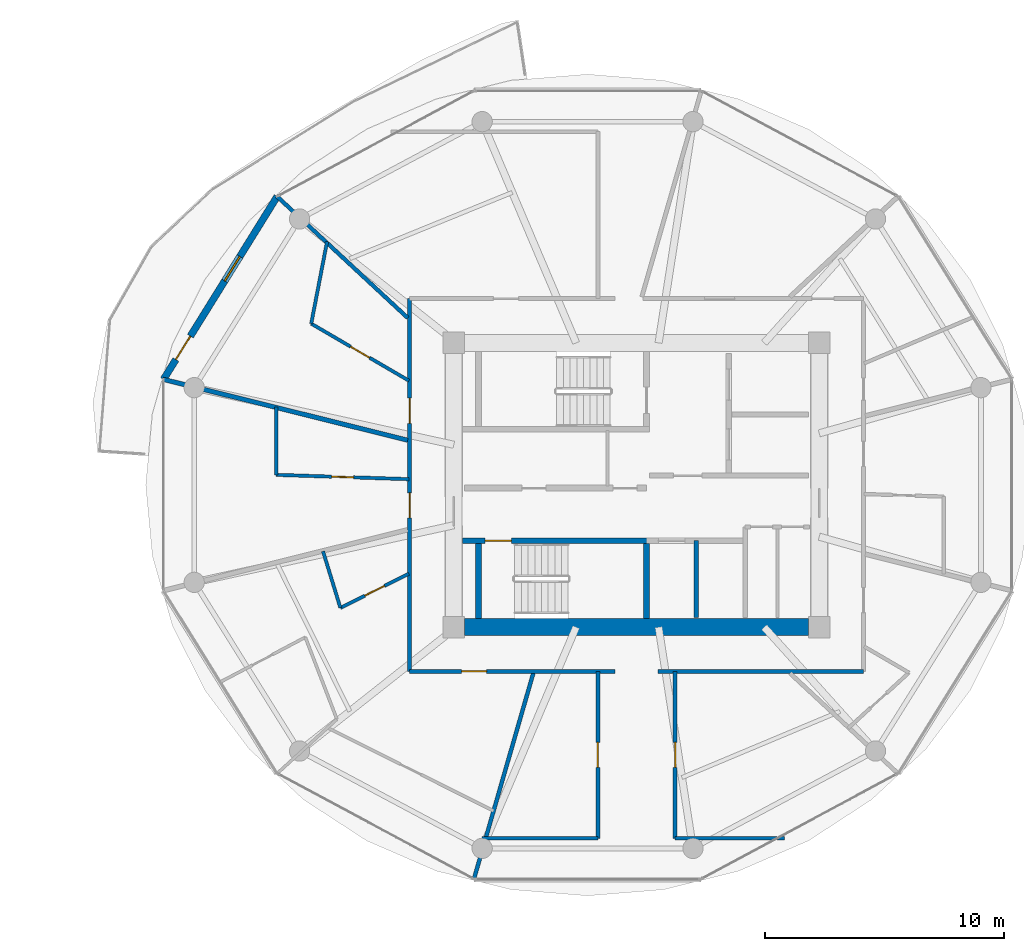
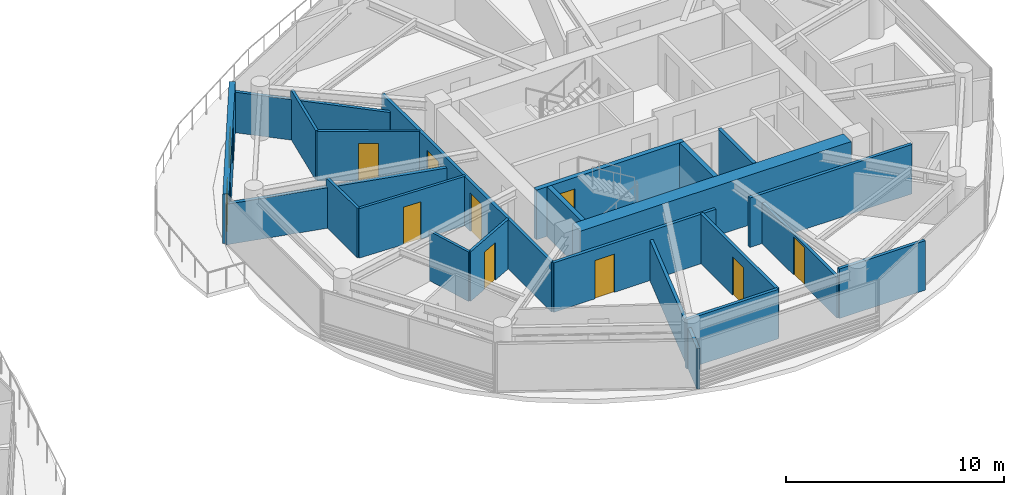
# One storey, part 16 of 22: 22 walls, 10 doors, 1 window, 11 openings.
"""IFC4 building model written with IfcOpenShell, lengths in metres."""

from ifc_helpers import new_model, si_unit, direction, frame, frame_2d, origin, place, context, subcontext, project, spatial, rectangle, extrude, source, transform, mapped, material, layer, layer_set, type_object, type_shapes, element, fill, save


model = new_model("IFC4")

# Units and contexts
model_context = context("Model", 3, precision=1e-05, world=origin(), true_north=direction((0.0, 1.0)))
body_context = subcontext(model_context, "Body", "Model", "MODEL_VIEW")
ifc_project = project(units=[si_unit("LENGTHUNIT", "METRE"), si_unit("AREAUNIT", "SQUARE_METRE"), si_unit("VOLUMEUNIT", "CUBIC_METRE"), si_unit("PLANEANGLEUNIT", "RADIAN"), si_unit("MASSUNIT", "GRAM", prefix="KILO")], contexts=[model_context])

# Site, building, storey
site_placement = place(None, origin())
site = spatial("IfcSite", under=ifc_project, at=site_placement, CompositionType="ELEMENT")
building_placement = place(site_placement, origin())
building = spatial("IfcBuilding", under=site, at=building_placement, Name="Norrkilde Senior Care Towers", CompositionType="ELEMENT")
storey_placement = place(building_placement, frame((0.0, 0.0, 123.699951171875)))
storey = spatial("IfcBuildingStorey", under=building, at=storey_placement, Name="L38", CompositionType="ELEMENT", Elevation=123.699951171875)

# Wall
ifc_material_1 = material(Name="Concrete C60/75", Category="concrete")
ifc_layer_1 = layer(ifc_material_1, 0.719970703125)
ifc_layer_set_1 = layer_set([ifc_layer_1], Name="Concrete C60/75")
wall_type_1 = type_object("IfcWallType", Name="Core Shear Wall Z2 720", PredefinedType="SHEAR", material=ifc_layer_set_1)
shared_shape_1 = source(origin(), body_context, "Body", "SweptSolid", [
    extrude(rectangle(XDim=14.39990234375, YDim=0.719970703125, at=frame_2d((7.199951171875, 0.0))), origin(), (0.0, 0.0, 1.0), 2.7900390625),
])
type_shapes(wall_type_1, [shared_shape_1])
wall_1_placement = place(storey_placement, frame((35.199951171875, -5.949951171875, 0.0), z_axis=(0.0, 0.0, 1.0), x_axis=(-1.0, 0.0, 0.0)))
element("IfcWall", 1, at=wall_1_placement, inside=storey, type_object=wall_type_1, Name="L38 Core E South Shear Wall", PredefinedType="SHEAR", context=body_context, shape_type="MappedRepresentation", body=[
    mapped(shared_shape_1, transform((0.0, 0.0, 0.0), x_axis=(1.0, 0.0, 0.0), y_axis=(0.0, 1.0, 0.0), z_axis=(0.0, 0.0, 1.0), scale=1.0)),
])

# Wall, openings, door, window
ifc_material_2 = material(Name="Precast concrete C45/55", Category="concrete")
ifc_layer_2 = layer(ifc_material_2, 0.2900390625)
ifc_layer_set_2 = layer_set([ifc_layer_2], Name="Precast concrete C45/55")
wall_type_2 = type_object("IfcWallType", Name="Winter Garden Facade Wall 290", PredefinedType="SOLIDWALL", material=ifc_layer_set_2)
shared_shape_2 = source(origin(), body_context, "Body", "SweptSolid", [
    extrude(rectangle(XDim=9.01416015625, YDim=0.2900390625, at=frame_2d((4.507080078125, 0.0))), origin(), (0.0, 0.0, 1.0), 2.7900390625),
])
type_shapes(wall_type_2, [shared_shape_2])
wall_2_placement = place(storey_placement, frame((8.1962890625, 4.420654296875, 0.0), z_axis=(0.0, 0.0, 1.0), x_axis=(0.527732945084, 0.849410347637, 0.0)))
wall_2 = element("IfcWall", 2, at=wall_2_placement, inside=storey, type_object=wall_type_2, Name="L38 Drum E Balcony Access Wall 04", PredefinedType="SOLIDWALL", context=body_context, shape_type="MappedRepresentation", body=[
    mapped(shared_shape_2, transform((0.0, 0.0, 0.0), x_axis=(1.0, 0.0, 0.0), y_axis=(0.0, 1.0, 0.0), z_axis=(0.0, 0.0, 1.0), scale=1.0)),
])
opening_1_placement = place(wall_2_placement, frame((0.97998046875, 0.0, 0.0)))
opening_1 = element("IfcOpeningElement", 3, at=opening_1_placement, cuts=wall_2, Name="Opening D-09", PredefinedType="OPENING", context=body_context, shape_type="SweptSolid", body=[
    extrude(rectangle(XDim=1.14990234375, YDim=2.25, at=frame_2d((0.574951171875, 1.125))), frame((0.0, 0.155029296875, 0.0), z_axis=(0.0, -1.0, 0.0), x_axis=(1.0, 0.0, 0.0)), (0.0, 0.0, 1.0), 0.31005859375),
])
opening_2_placement = place(wall_2_placement, frame((4.857177734375, 0.0, 0.85009765625)))
opening_2 = element("IfcOpeningElement", 4, at=opening_2_placement, cuts=wall_2, Name="Opening WN-07", PredefinedType="OPENING", context=body_context, shape_type="SweptSolid", body=[
    extrude(rectangle(XDim=1.199951171875, YDim=1.5, at=frame_2d((0.60009765625, 0.75))), frame((0.0, 0.155029296875, 0.0), z_axis=(0.0, -1.0, 0.0), x_axis=(1.0, 0.0, 0.0)), (0.0, 0.0, 1.0), 0.31005859375),
])
ifc_material_3 = material(Name="Anodised Aluminium", Category="aluminium")
door_type_1 = type_object("IfcDoorType", Name="Terrace and Balcony Glazed Door 1150x2250", OperationType="NOTDEFINED", PredefinedType="DOOR", material=ifc_material_3)
shared_shape_3 = source(origin(), body_context, "Body", "SweptSolid", [
    extrude(rectangle(XDim=1.14990234375, YDim=2.25, at=frame_2d((0.574951171875, 1.125))), frame((0.0, 0.02490234375, 0.0), z_axis=(0.0, -1.0, 0.0), x_axis=(1.0, 0.0, 0.0)), (0.0, 0.0, 1.0), 0.050048828125),
])
type_shapes(door_type_1, [shared_shape_3])
door_1_placement = place(opening_1_placement, origin())
door_1 = element("IfcDoor", 5, at=door_1_placement, inside=storey, type_object=door_type_1, Name="L38 Drum E Outdoor Terrace Door 04", OperationType="SINGLE_SWING_LEFT", OverallHeight=2.25, OverallWidth=1.14990234375, PredefinedType="DOOR", context=body_context, shape_type="MappedRepresentation", body=[
    mapped(shared_shape_3, transform((0.0, 0.0, 0.0), x_axis=(1.0, 0.0, 0.0), y_axis=(0.0, 1.0, 0.0), z_axis=(0.0, 0.0, 1.0), scale=1.0)),
])
fill(opening_1, door_1)
ifc_material_4 = material(Name="Triple Low-E Insulated Glazing", Category="glass")
window_type = type_object("IfcWindowType", Name="Stairwell Smoke Vent Window 1200x1500", PartitioningType="SINGLE_PANEL", PredefinedType="WINDOW", material=ifc_material_4)
shared_shape_4 = source(origin(), body_context, "Body", "SweptSolid", [
    extrude(rectangle(XDim=1.199951171875, YDim=1.5, at=frame_2d((0.60009765625, 0.75))), frame((0.0, 0.030029296875, 0.0), z_axis=(0.0, -1.0, 0.0), x_axis=(1.0, 0.0, 0.0)), (0.0, 0.0, 1.0), 0.06005859375),
])
type_shapes(window_type, [shared_shape_4])
window_placement = place(opening_2_placement, origin())
window = element("IfcWindow", 6, at=window_placement, inside=storey, type_object=window_type, Name="L38 Drum E Winter Garden Window 04", OverallHeight=1.5, OverallWidth=1.199951171875, PartitioningType="SINGLE_PANEL", PredefinedType="WINDOW", context=body_context, shape_type="MappedRepresentation", body=[
    mapped(shared_shape_4, transform((0.0, 0.0, 0.0), x_axis=(1.0, 0.0, 0.0), y_axis=(0.0, 1.0, 0.0), z_axis=(0.0, 0.0, 1.0), scale=1.0)),
])
fill(opening_2, window)

# Wall
ifc_material_5 = material(Name="Concrete C45/55", Category="concrete")
ifc_layer_3 = layer(ifc_material_5, 0.179931640625)
ifc_layer_set_3 = layer_set([ifc_layer_3], Name="Concrete C45/55")
wall_type_3 = type_object("IfcWallType", Name="Hoistway Division Rated Partition 180", PredefinedType="PARTITIONING", material=ifc_layer_set_3)
shared_shape_5 = source(origin(), body_context, "Body", "SweptSolid", [
    extrude(rectangle(XDim=3.219970703125, YDim=0.179931640625, at=frame_2d((1.60986328125, 0.0))), origin(), (0.0, 0.0, 1.0), 2.775146484375),
])
type_shapes(wall_type_3, [shared_shape_5])
wall_3_placement = place(storey_placement, frame((30.5, -5.550048828125, 0.0), z_axis=(0.0, 0.0, 1.0), x_axis=(0.0, 1.0, 0.0)))
element("IfcWall", 7, at=wall_3_placement, inside=storey, type_object=wall_type_3, Name="WL-INT-L38-E-PL34", PredefinedType="PARTITIONING", context=body_context, shape_type="MappedRepresentation", body=[
    mapped(shared_shape_5, transform((0.0, 0.0, 0.0), x_axis=(1.0, 0.0, 0.0), y_axis=(0.0, 1.0, 0.0), z_axis=(0.0, 0.0, 1.0), scale=1.0)),
])

# Wall, openings, doors
ifc_material_6 = material(Name="Gypsum Acoustic Board")
ifc_layer_4 = layer(ifc_material_6, 0.1650390625)
ifc_layer_set_4 = layer_set([ifc_layer_4], Name="Gypsum Acoustic Board")
wall_type_4 = type_object("IfcWallType", Name="Corridor Rated Partition 165", PredefinedType="PARTITIONING", material=ifc_layer_set_4)
shared_shape_6 = source(origin(), body_context, "Body", "SweptSolid", [
    extrude(rectangle(XDim=15.60009765625, YDim=0.1650390625, at=frame_2d((7.800048828125, 0.0))), origin(), (0.0, 0.0, 1.0), 2.775146484375),
])
wall_4_placement = place(storey_placement, frame((18.5, -7.800048828125, 0.0), z_axis=(0.0, 0.0, 1.0), x_axis=(0.0, 1.0, 0.0)))
wall_4 = element("IfcWall", 8, at=wall_4_placement, inside=storey, type_object=wall_type_4, Name="WL-INT-L38-E-CRW-W-0", PredefinedType="PARTITIONING", context=body_context, shape_type="MappedRepresentation", body=[
    mapped(shared_shape_6, transform((0.0, 0.0, 0.0), x_axis=(1.0, 0.0, 0.0), y_axis=(0.0, 1.0, 0.0), z_axis=(0.0, 0.0, 1.0), scale=1.0)),
])
opening_3_placement = place(wall_4_placement, frame((10.3828125, 0.0, 0.0)))
opening_3 = element("IfcOpeningElement", 9, at=opening_3_placement, cuts=wall_4, Name="Opening D-06", PredefinedType="OPENING", context=body_context, shape_type="SweptSolid", body=[
    extrude(rectangle(XDim=1.050048828125, YDim=2.14990234375, at=frame_2d((0.52490234375, 1.074951171875))), frame((0.0, 0.092529296875, 0.0), z_axis=(0.0, -1.0, 0.0), x_axis=(1.0, 0.0, 0.0)), (0.0, 0.0, 1.0), 0.18505859375),
])
opening_4_placement = place(wall_4_placement, frame((6.418701171875, 0.0, 0.0)))
opening_4 = element("IfcOpeningElement", 10, at=opening_4_placement, cuts=wall_4, Name="Opening D-06", PredefinedType="OPENING", context=body_context, shape_type="SweptSolid", body=[
    extrude(rectangle(XDim=1.050048828125, YDim=2.14990234375, at=frame_2d((0.52490234375, 1.074951171875))), frame((0.0, 0.092529296875, 0.0), z_axis=(0.0, -1.0, 0.0), x_axis=(1.0, 0.0, 0.0)), (0.0, 0.0, 1.0), 0.18505859375),
])
ifc_material_7 = material(Name="Nordic Ash Timber", Category="wood")
door_type_2 = type_object("IfcDoorType", Name="Apartment Entrance Fire Door 1050x2150", OperationType="NOTDEFINED", PredefinedType="DOOR", material=ifc_material_7)
shared_shape_7 = source(origin(), body_context, "Body", "SweptSolid", [
    extrude(rectangle(XDim=1.050048828125, YDim=2.14990234375, at=frame_2d((0.52490234375, 1.074951171875))), frame((0.0, 0.02490234375, 0.0), z_axis=(0.0, -1.0, 0.0), x_axis=(1.0, 0.0, 0.0)), (0.0, 0.0, 1.0), 0.050048828125),
])
type_shapes(door_type_2, [shared_shape_7])
door_2_placement = place(opening_3_placement, frame((1.050048828125, 0.0, 0.0), z_axis=(0.0, 0.0, 1.0), x_axis=(-1.0, 0.0, 0.0)))
door_2 = element("IfcDoor", 11, at=door_2_placement, inside=storey, type_object=door_type_2, Name="L38 Studio 38A Entrance Door", OperationType="SINGLE_SWING_LEFT", OverallHeight=2.14990234375, OverallWidth=1.050048828125, PredefinedType="DOOR", context=body_context, shape_type="MappedRepresentation", body=[
    mapped(shared_shape_7, transform((0.0, 0.0, 0.0), x_axis=(1.0, 0.0, 0.0), y_axis=(0.0, 1.0, 0.0), z_axis=(0.0, 0.0, 1.0), scale=1.0)),
])
fill(opening_3, door_2)
door_3_placement = place(opening_4_placement, frame((1.050048828125, 0.0, 0.0), z_axis=(0.0, 0.0, 1.0), x_axis=(-1.0, 0.0, 0.0)))
door_3 = element("IfcDoor", 12, at=door_3_placement, inside=storey, type_object=door_type_2, Name="L38 Studio 38B Entrance Door", OperationType="SINGLE_SWING_RIGHT", OverallHeight=2.14990234375, OverallWidth=1.050048828125, PredefinedType="DOOR", context=body_context, shape_type="MappedRepresentation", body=[
    mapped(shared_shape_7, transform((0.0, 0.0, 0.0), x_axis=(1.0, 0.0, 0.0), y_axis=(0.0, 1.0, 0.0), z_axis=(0.0, 0.0, 1.0), scale=1.0)),
])
fill(opening_4, door_3)

# Wall, opening, door
ifc_layer_5 = layer(ifc_material_5, 0.239990234375)
ifc_layer_set_5 = layer_set([ifc_layer_5], Name="Concrete C45/55")
wall_type_5 = type_object("IfcWallType", Name="Shaft and Stair Enclosure Wall 240", PredefinedType="PARTITIONING", material=ifc_layer_set_5)
shared_shape_8 = source(origin(), body_context, "Body", "SweptSolid", [
    extrude(rectangle(XDim=7.830078125, YDim=0.239990234375, at=frame_2d((3.9150390625, 0.0))), origin(), (0.0, 0.0, 1.0), 2.7900390625),
])
wall_5_placement = place(storey_placement, frame((20.7099609375, -2.330078125, 0.0), z_axis=(0.0, 0.0, 1.0), x_axis=(1.0, 0.0, 0.0)))
wall_5 = element("IfcWall", 13, at=wall_5_placement, inside=storey, type_object=wall_type_5, Name="WL-INT-L38-E-ST2N", PredefinedType="PARTITIONING", context=body_context, shape_type="MappedRepresentation", body=[
    mapped(shared_shape_8, transform((0.0, 0.0, 0.0), x_axis=(1.0, 0.0, 0.0), y_axis=(0.0, 1.0, 0.0), z_axis=(0.0, 0.0, 1.0), scale=1.0)),
])
opening_5_placement = place(wall_5_placement, frame((0.949951171875, 0.0, 0.0)))
opening_5 = element("IfcOpeningElement", 14, at=opening_5_placement, cuts=wall_5, Name="Opening D-03", PredefinedType="OPENING", context=body_context, shape_type="SweptSolid", body=[
    extrude(rectangle(XDim=1.10009765625, YDim=2.14990234375, at=frame_2d((0.550048828125, 1.074951171875))), frame((0.0, 0.1298828125, 0.0), z_axis=(0.0, -1.0, 0.0), x_axis=(1.0, 0.0, 0.0)), (0.0, 0.0, 1.0), 0.260009765625),
])
ifc_material_8 = material(Name="Galvanised Painted Steel", Category="steel")
door_type_3 = type_object("IfcDoorType", Name="Stairwell Protected Fire Door 1100x2150", OperationType="NOTDEFINED", PredefinedType="DOOR", material=ifc_material_8)
shared_shape_9 = source(origin(), body_context, "Body", "SweptSolid", [
    extrude(rectangle(XDim=1.10009765625, YDim=2.14990234375, at=frame_2d((0.550048828125, 1.074951171875))), frame((0.0, 0.02490234375, 0.0), z_axis=(0.0, -1.0, 0.0), x_axis=(1.0, 0.0, 0.0)), (0.0, 0.0, 1.0), 0.050048828125),
])
type_shapes(door_type_3, [shared_shape_9])
door_4_placement = place(opening_5_placement, frame((1.10009765625, 0.0, 0.0), z_axis=(0.0, 0.0, 1.0), x_axis=(-1.0, 0.0, 0.0)))
door_4 = element("IfcDoor", 15, at=door_4_placement, inside=storey, type_object=door_type_3, Name="L38 Stair E2 Fire Door", OperationType="SINGLE_SWING_RIGHT", OverallHeight=2.14990234375, OverallWidth=1.10009765625, PredefinedType="DOOR", context=body_context, shape_type="MappedRepresentation", body=[
    mapped(shared_shape_9, transform((0.0, 0.0, 0.0), x_axis=(1.0, 0.0, 0.0), y_axis=(0.0, 1.0, 0.0), z_axis=(0.0, 0.0, 1.0), scale=1.0)),
])
fill(opening_5, door_4)

# Walls
shared_shape_10 = source(origin(), body_context, "Body", "SweptSolid", [
    extrude(rectangle(XDim=3.14013671875, YDim=0.239990234375, at=frame_2d((1.570068359375, 0.0))), origin(), (0.0, 0.0, 1.0), 2.7900390625),
])
type_shapes(wall_type_5, [shared_shape_8, shared_shape_10])
for number, where, z_axis, x_axis, name in (
    (16, (21.3798828125, -5.590087890625, 0.0), (0.0, 0.0, 1.0), (0.0, 1.0, 0.0), "WL-INT-L38-E-ST2W"),
    (17, (28.419921875, -5.590087890625, 0.0), (0.0, 0.0, 1.0), (0.0, 1.0, 0.0), "WL-INT-L38-E-ST2E"),
):
    element("IfcWall", number, at=place(storey_placement, frame(where, z_axis=z_axis, x_axis=x_axis)), inside=storey, type_object=wall_type_5, Name=name, PredefinedType="PARTITIONING", context=body_context, shape_type="MappedRepresentation", body=[
        mapped(shared_shape_10, transform((0.0, 0.0, 0.0), x_axis=(1.0, 0.0, 0.0), y_axis=(0.0, 1.0, 0.0), z_axis=(0.0, 0.0, 1.0), scale=1.0)),
    ])
ifc_layer_6 = layer(ifc_material_6, 0.18994140625)
ifc_layer_set_6 = layer_set([ifc_layer_6], Name="Gypsum Acoustic Board")
wall_type_6 = type_object("IfcWallType", Name="Unit Demising Acoustic Wall 190", PredefinedType="PARTITIONING", material=ifc_layer_set_6)
shared_shape_11 = source(origin(), body_context, "Body", "SweptSolid", [
    extrude(rectangle(XDim=10.5556640625, YDim=0.18994140625, at=frame_2d((5.27783203125, 0.0))), origin(), (0.0, 0.0, 1.0), 2.275146484375),
])
type_shapes(wall_type_6, [shared_shape_11])
wall_6_placement = place(storey_placement, frame((18.419921875, 1.875, 0.0), z_axis=(0.0, 0.0, 1.0), x_axis=(-0.970363857851, 0.241648470667, 0.0)))
element("IfcWall", 18, at=wall_6_placement, inside=storey, type_object=wall_type_6, Name="WL-INT-L38-E-DEM-05-0", PredefinedType="PARTITIONING", context=body_context, shape_type="MappedRepresentation", body=[
    mapped(shared_shape_11, transform((0.0, 0.0, 0.0), x_axis=(1.0, 0.0, 0.0), y_axis=(0.0, 1.0, 0.0), z_axis=(0.0, 0.0, 1.0), scale=1.0)),
])
shared_shape_12 = source(origin(), body_context, "Body", "SweptSolid", [
    extrude(rectangle(XDim=8.60009765625, YDim=0.1650390625, at=frame_2d((4.300048828125, 0.0))), origin(), (0.0, 0.0, 1.0), 2.775146484375),
])
wall_7_placement = place(storey_placement, frame((37.5, -7.800048828125, 0.0), z_axis=(0.0, 0.0, 1.0), x_axis=(-1.0, 0.0, 0.0)))
element("IfcWall", 19, at=wall_7_placement, inside=storey, type_object=wall_type_4, Name="WL-INT-L38-E-CRW-S-0", PredefinedType="PARTITIONING", context=body_context, shape_type="MappedRepresentation", body=[
    mapped(shared_shape_12, transform((0.0, 0.0, 0.0), x_axis=(1.0, 0.0, 0.0), y_axis=(0.0, 1.0, 0.0), z_axis=(0.0, 0.0, 1.0), scale=1.0)),
])

# Wall, opening, door
wall_8_placement = place(storey_placement, frame((27.10009765625, -7.800048828125, 0.0), z_axis=(0.0, 0.0, 1.0), x_axis=(-1.0, 0.0, 0.0)))
wall_8 = element("IfcWall", 20, at=wall_8_placement, inside=storey, type_object=wall_type_4, Name="WL-INT-L38-E-CRW-S-1", PredefinedType="PARTITIONING", context=body_context, shape_type="MappedRepresentation", body=[
    mapped(shared_shape_12, transform((0.0, 0.0, 0.0), x_axis=(1.0, 0.0, 0.0), y_axis=(0.0, 1.0, 0.0), z_axis=(0.0, 0.0, 1.0), scale=1.0)),
])
opening_6_placement = place(wall_8_placement, frame((5.375, 0.0, 0.0)))
opening_6 = element("IfcOpeningElement", 21, at=opening_6_placement, cuts=wall_8, Name="Opening D-06", PredefinedType="OPENING", context=body_context, shape_type="SweptSolid", body=[
    extrude(rectangle(XDim=1.050048828125, YDim=2.14990234375, at=frame_2d((0.52490234375, 1.074951171875))), frame((0.0, 0.092529296875, 0.0), z_axis=(0.0, -1.0, 0.0), x_axis=(1.0, 0.0, 0.0)), (0.0, 0.0, 1.0), 0.18505859375),
])
door_5_placement = place(opening_6_placement, frame((1.050048828125, 0.0, 0.0), z_axis=(0.0, 0.0, 1.0), x_axis=(-1.0, 0.0, 0.0)))
door_5 = element("IfcDoor", 22, at=door_5_placement, inside=storey, type_object=door_type_2, Name="Apartment 38C Entrance Door", OperationType="SINGLE_SWING_LEFT", OverallHeight=2.14990234375, OverallWidth=1.050048828125, PredefinedType="DOOR", context=body_context, shape_type="MappedRepresentation", body=[
    mapped(shared_shape_7, transform((0.0, 0.0, 0.0), x_axis=(1.0, 0.0, 0.0), y_axis=(0.0, 1.0, 0.0), z_axis=(0.0, 0.0, 1.0), scale=1.0)),
])
fill(opening_6, door_5)

# Walls
shared_shape_13 = source(origin(), body_context, "Body", "SweptSolid", [
    extrude(rectangle(XDim=8.9892578125, YDim=0.1650390625, at=frame_2d((4.49462890625, 0.0))), origin(), (0.0, 0.0, 1.0), 2.275146484375),
])
wall_9_placement = place(storey_placement, frame((23.677978515625, -7.8798828125, 0.0), z_axis=(0.0, 0.0, 1.0), x_axis=(-0.27702323008, -0.960863221274, 0.0)))
element("IfcWall", 23, at=wall_9_placement, inside=storey, type_object=wall_type_4, Name="WL-INT-L38-E-DEM-08-0", PredefinedType="PARTITIONING", context=body_context, shape_type="MappedRepresentation", body=[
    mapped(shared_shape_13, transform((0.0, 0.0, 0.0), x_axis=(1.0, 0.0, 0.0), y_axis=(0.0, 1.0, 0.0), z_axis=(0.0, 0.0, 1.0), scale=1.0)),
])
shared_shape_14 = source(origin(), body_context, "Body", "SweptSolid", [
    extrude(rectangle(XDim=7.482177734375, YDim=0.1650390625, at=frame_2d((3.7412109375, 0.0))), origin(), (0.0, 0.0, 1.0), 2.275146484375),
])
wall_10_placement = place(storey_placement, frame((18.419921875, 6.998046875, 0.0), z_axis=(0.0, 0.0, 1.0), x_axis=(-0.732508698043, 0.680757671489, 0.0)))
element("IfcWall", 24, at=wall_10_placement, inside=storey, type_object=wall_type_4, Name="WL-INT-L38-E-DEM-04-0", PredefinedType="PARTITIONING", context=body_context, shape_type="MappedRepresentation", body=[
    mapped(shared_shape_14, transform((0.0, 0.0, 0.0), x_axis=(1.0, 0.0, 0.0), y_axis=(0.0, 1.0, 0.0), z_axis=(0.0, 0.0, 1.0), scale=1.0)),
])

# Wall, opening, door
ifc_layer_7 = layer(ifc_material_6, 0.139892578125)
ifc_layer_set_7 = layer_set([ifc_layer_7], Name="Gypsum Acoustic Board")
wall_type_7 = type_object("IfcWallType", Name="En-suite Wet Room Wall 140", PredefinedType="PARTITIONING", material=ifc_layer_set_7)
shared_shape_15 = source(origin(), body_context, "Body", "SweptSolid", [
    extrude(rectangle(XDim=4.7353515625, YDim=0.139892578125, at=frame_2d((2.36767578125, 0.0))), origin(), (0.0, 0.0, 1.0), 2.775146484375),
])
wall_11_placement = place(storey_placement, frame((18.469970703125, 4.36767578125, 0.0), z_axis=(0.0, 0.0, 1.0), x_axis=(-0.863537576642, 0.504284496814, 0.0)))
wall_11 = element("IfcWall", 25, at=wall_11_placement, inside=storey, type_object=wall_type_7, Name="WL-INT-L38-E-ES-04", PredefinedType="PARTITIONING", context=body_context, shape_type="MappedRepresentation", body=[
    mapped(shared_shape_15, transform((0.0, 0.0, 0.0), x_axis=(1.0, 0.0, 0.0), y_axis=(0.0, 1.0, 0.0), z_axis=(0.0, 0.0, 1.0), scale=1.0)),
])
opening_7_placement = place(wall_11_placement, frame((1.90771484375, 0.0, 0.0)))
opening_7 = element("IfcOpeningElement", 26, at=opening_7_placement, cuts=wall_11, Name="Opening D-08", PredefinedType="OPENING", context=body_context, shape_type="SweptSolid", body=[
    extrude(rectangle(XDim=0.919921875, YDim=2.10009765625, at=frame_2d((0.4599609375, 1.050048828125))), frame((0.0, 0.079833984375, 0.0), z_axis=(0.0, -1.0, 0.0), x_axis=(1.0, 0.0, 0.0)), (0.0, 0.0, 1.0), 0.159912109375),
])
door_type_4 = type_object("IfcDoorType", Name="Accessible Wet Room Door 920x2100", OperationType="NOTDEFINED", PredefinedType="DOOR", material=ifc_material_7)
shared_shape_16 = source(origin(), body_context, "Body", "SweptSolid", [
    extrude(rectangle(XDim=0.919921875, YDim=2.10009765625, at=frame_2d((0.4599609375, 1.050048828125))), frame((0.0, 0.02490234375, 0.0), z_axis=(0.0, -1.0, 0.0), x_axis=(1.0, 0.0, 0.0)), (0.0, 0.0, 1.0), 0.050048828125),
])
type_shapes(door_type_4, [shared_shape_16])
door_6_placement = place(opening_7_placement, origin())
door_6 = element("IfcDoor", 27, at=door_6_placement, inside=storey, type_object=door_type_4, Name="L38 Studio 38A Bathroom Door", OperationType="SINGLE_SWING_RIGHT", OverallHeight=2.10009765625, OverallWidth=0.919921875, PredefinedType="DOOR", context=body_context, shape_type="MappedRepresentation", body=[
    mapped(shared_shape_16, transform((0.0, 0.0, 0.0), x_axis=(1.0, 0.0, 0.0), y_axis=(0.0, 1.0, 0.0), z_axis=(0.0, 0.0, 1.0), scale=1.0)),
])
fill(opening_7, door_6)

# Wall
shared_shape_17 = source(origin(), body_context, "Body", "SweptSolid", [
    extrude(rectangle(XDim=3.4990234375, YDim=0.139892578125, at=frame_2d((1.74951171875, 0.0))), origin(), (0.0, 0.0, 1.0), 2.775146484375),
])
wall_12_placement = place(storey_placement, frame((14.380859375, 6.755615234375, 0.0), z_axis=(0.0, 0.0, 1.0), x_axis=(0.18957713629, 0.981865830649, 0.0)))
element("IfcWall", 28, at=wall_12_placement, inside=storey, type_object=wall_type_7, Name="WL-INT-L38-E-EF-04", PredefinedType="PARTITIONING", context=body_context, shape_type="MappedRepresentation", body=[
    mapped(shared_shape_17, transform((0.0, 0.0, 0.0), x_axis=(1.0, 0.0, 0.0), y_axis=(0.0, 1.0, 0.0), z_axis=(0.0, 0.0, 1.0), scale=1.0)),
])

# Wall, opening, door
shared_shape_18 = source(origin(), body_context, "Body", "SweptSolid", [
    extrude(rectangle(XDim=5.556884765625, YDim=0.139892578125, at=frame_2d((2.7783203125, 0.0))), origin(), (0.0, 0.0, 1.0), 2.775146484375),
])
wall_13_placement = place(storey_placement, frame((18.469970703125, 0.244140625, 0.0), z_axis=(0.0, 0.0, 1.0), x_axis=(-0.999468495627, 0.03259948234, 0.0)))
wall_13 = element("IfcWall", 29, at=wall_13_placement, inside=storey, type_object=wall_type_7, Name="WL-INT-L38-E-ES-05", PredefinedType="PARTITIONING", context=body_context, shape_type="MappedRepresentation", body=[
    mapped(shared_shape_18, transform((0.0, 0.0, 0.0), x_axis=(1.0, 0.0, 0.0), y_axis=(0.0, 1.0, 0.0), z_axis=(0.0, 0.0, 1.0), scale=1.0)),
])
opening_8_placement = place(wall_13_placement, frame((2.318359375, 0.0, 0.0)))
opening_8 = element("IfcOpeningElement", 30, at=opening_8_placement, cuts=wall_13, Name="Opening D-08", PredefinedType="OPENING", context=body_context, shape_type="SweptSolid", body=[
    extrude(rectangle(XDim=0.919921875, YDim=2.10009765625, at=frame_2d((0.4599609375, 1.050048828125))), frame((0.0, 0.079833984375, 0.0), z_axis=(0.0, -1.0, 0.0), x_axis=(1.0, 0.0, 0.0)), (0.0, 0.0, 1.0), 0.159912109375),
])
door_7_placement = place(opening_8_placement, origin())
door_7 = element("IfcDoor", 31, at=door_7_placement, inside=storey, type_object=door_type_4, Name="L38 Studio 38B Bathroom Door", OperationType="SINGLE_SWING_LEFT", OverallHeight=2.10009765625, OverallWidth=0.919921875, PredefinedType="DOOR", context=body_context, shape_type="MappedRepresentation", body=[
    mapped(shared_shape_16, transform((0.0, 0.0, 0.0), x_axis=(1.0, 0.0, 0.0), y_axis=(0.0, 1.0, 0.0), z_axis=(0.0, 0.0, 1.0), scale=1.0)),
])
fill(opening_8, door_7)

# Wall
shared_shape_19 = source(origin(), body_context, "Body", "SweptSolid", [
    extrude(rectangle(XDim=2.836669921875, YDim=0.139892578125, at=frame_2d((1.41845703125, 0.0))), origin(), (0.0, 0.0, 1.0), 2.775146484375),
])
wall_14_placement = place(storey_placement, frame((12.916015625, 0.42529296875, 0.0), z_axis=(0.0, 0.0, 1.0), x_axis=(0.002409838945, 0.999997096334, 0.0)))
element("IfcWall", 32, at=wall_14_placement, inside=storey, type_object=wall_type_7, Name="WL-INT-L38-E-EF-05", PredefinedType="PARTITIONING", context=body_context, shape_type="MappedRepresentation", body=[
    mapped(shared_shape_19, transform((0.0, 0.0, 0.0), x_axis=(1.0, 0.0, 0.0), y_axis=(0.0, 1.0, 0.0), z_axis=(0.0, 0.0, 1.0), scale=1.0)),
])

# Wall, opening, door
shared_shape_20 = source(origin(), body_context, "Body", "SweptSolid", [
    extrude(rectangle(XDim=6.989990234375, YDim=0.1650390625, at=frame_2d((3.4951171875, 0.0))), origin(), (0.0, 0.0, 1.0), 2.275146484375),
])
wall_15_placement = place(storey_placement, frame((29.6201171875, -14.7900390625, 0.0), z_axis=(0.0, 0.0, 1.0), x_axis=(0.0, 1.0, 0.0)))
wall_15 = element("IfcWall", 33, at=wall_15_placement, inside=storey, type_object=wall_type_4, Name="WL-INT-L38-E-PKW-SEL", PredefinedType="PARTITIONING", context=body_context, shape_type="MappedRepresentation", body=[
    mapped(shared_shape_20, transform((0.0, 0.0, 0.0), x_axis=(1.0, 0.0, 0.0), y_axis=(0.0, 1.0, 0.0), z_axis=(0.0, 0.0, 1.0), scale=1.0)),
])
opening_9_placement = place(wall_15_placement, frame((2.969970703125, 0.0, 0.0)))
opening_9 = element("IfcOpeningElement", 34, at=opening_9_placement, cuts=wall_15, Name="Opening D-06", PredefinedType="OPENING", context=body_context, shape_type="SweptSolid", body=[
    extrude(rectangle(XDim=1.050048828125, YDim=2.14990234375, at=frame_2d((0.52490234375, 1.074951171875))), frame((0.0, 0.092529296875, 0.0), z_axis=(0.0, -1.0, 0.0), x_axis=(1.0, 0.0, 0.0)), (0.0, 0.0, 1.0), 0.18505859375),
])
door_8_placement = place(opening_9_placement, frame((1.050048828125, 0.0, 0.0), z_axis=(0.0, 0.0, 1.0), x_axis=(-1.0, 0.0, 0.0)))
door_8 = element("IfcDoor", 35, at=door_8_placement, inside=storey, type_object=door_type_2, Name="L38 Reading Lounge SEL Door", OperationType="SINGLE_SWING_RIGHT", OverallHeight=2.14990234375, OverallWidth=1.050048828125, PredefinedType="DOOR", context=body_context, shape_type="MappedRepresentation", body=[
    mapped(shared_shape_7, transform((0.0, 0.0, 0.0), x_axis=(1.0, 0.0, 0.0), y_axis=(0.0, 1.0, 0.0), z_axis=(0.0, 0.0, 1.0), scale=1.0)),
])
fill(opening_9, door_8)

# Wall
shared_shape_21 = source(origin(), body_context, "Body", "SweptSolid", [
    extrude(rectangle(XDim=4.5693359375, YDim=0.1650390625, at=frame_2d((2.28466796875, 0.0))), origin(), (0.0, 0.0, 1.0), 2.775146484375),
])
wall_16_placement = place(storey_placement, frame((29.6201171875, -14.7900390625, 0.0), z_axis=(0.0, 0.0, 1.0), x_axis=(1.0, 0.0, 0.0)))
element("IfcWall", 36, at=wall_16_placement, inside=storey, type_object=wall_type_4, Name="WL-INT-L38-E-PKH-SEL-0", PredefinedType="PARTITIONING", context=body_context, shape_type="MappedRepresentation", body=[
    mapped(shared_shape_21, transform((0.0, 0.0, 0.0), x_axis=(1.0, 0.0, 0.0), y_axis=(0.0, 1.0, 0.0), z_axis=(0.0, 0.0, 1.0), scale=1.0)),
])

# Wall, opening, door
shared_shape_22 = source(origin(), body_context, "Body", "SweptSolid", [
    extrude(rectangle(XDim=6.989990234375, YDim=0.1650390625, at=frame_2d((3.4951171875, 0.0))), origin(), (0.0, 0.0, 1.0), 2.775146484375),
])
wall_17_placement = place(storey_placement, frame((26.3798828125, -14.7900390625, 0.0), z_axis=(0.0, 0.0, 1.0), x_axis=(0.0, 1.0, 0.0)))
wall_17 = element("IfcWall", 37, at=wall_17_placement, inside=storey, type_object=wall_type_4, Name="WL-INT-L38-E-PKW-SWL", PredefinedType="PARTITIONING", context=body_context, shape_type="MappedRepresentation", body=[
    mapped(shared_shape_22, transform((0.0, 0.0, 0.0), x_axis=(1.0, 0.0, 0.0), y_axis=(0.0, 1.0, 0.0), z_axis=(0.0, 0.0, 1.0), scale=1.0)),
])
opening_10_placement = place(wall_17_placement, frame((2.969970703125, 0.0, 0.0)))
opening_10 = element("IfcOpeningElement", 38, at=opening_10_placement, cuts=wall_17, Name="Opening D-06", PredefinedType="OPENING", context=body_context, shape_type="SweptSolid", body=[
    extrude(rectangle(XDim=1.050048828125, YDim=2.14990234375, at=frame_2d((0.52490234375, 1.074951171875))), frame((0.0, 0.092529296875, 0.0), z_axis=(0.0, -1.0, 0.0), x_axis=(1.0, 0.0, 0.0)), (0.0, 0.0, 1.0), 0.18505859375),
])
door_9_placement = place(opening_10_placement, frame((1.050048828125, 0.0, 0.0), z_axis=(0.0, 0.0, 1.0), x_axis=(-1.0, 0.0, 0.0)))
door_9 = element("IfcDoor", 39, at=door_9_placement, inside=storey, type_object=door_type_2, Name="L38 Reading Lounge SWL Door", OperationType="SINGLE_SWING_RIGHT", OverallHeight=2.14990234375, OverallWidth=1.050048828125, PredefinedType="DOOR", context=body_context, shape_type="MappedRepresentation", body=[
    mapped(shared_shape_7, transform((0.0, 0.0, 0.0), x_axis=(1.0, 0.0, 0.0), y_axis=(0.0, 1.0, 0.0), z_axis=(0.0, 0.0, 1.0), scale=1.0)),
])
fill(opening_10, door_9)

# Wall
shared_shape_23 = source(origin(), body_context, "Body", "SweptSolid", [
    extrude(rectangle(XDim=4.8505859375, YDim=0.1650390625, at=frame_2d((2.42529296875, 0.0))), origin(), (0.0, 0.0, 1.0), 2.775146484375),
])
type_shapes(wall_type_4, [shared_shape_6, shared_shape_12, shared_shape_13, shared_shape_14, shared_shape_20, shared_shape_21, shared_shape_22, shared_shape_23])
wall_18_placement = place(storey_placement, frame((21.529296875, -14.7900390625, 0.0), z_axis=(0.0, 0.0, 1.0), x_axis=(1.0, 0.0, 0.0)))
element("IfcWall", 40, at=wall_18_placement, inside=storey, type_object=wall_type_4, Name="WL-INT-L38-E-PKH-SWL-0", PredefinedType="PARTITIONING", context=body_context, shape_type="MappedRepresentation", body=[
    mapped(shared_shape_23, transform((0.0, 0.0, 0.0), x_axis=(1.0, 0.0, 0.0), y_axis=(0.0, 1.0, 0.0), z_axis=(0.0, 0.0, 1.0), scale=1.0)),
])

# Wall, opening, door
shared_shape_24 = source(origin(), body_context, "Body", "SweptSolid", [
    extrude(rectangle(XDim=3.20263671875, YDim=0.139892578125, at=frame_2d((1.601318359375, 0.0))), origin(), (0.0, 0.0, 1.0), 2.775146484375),
])
wall_19_placement = place(storey_placement, frame((18.469970703125, -3.716552734375, 0.0), z_axis=(0.0, 0.0, 1.0), x_axis=(-0.895552551978, -0.444955758077, 0.0)))
wall_19 = element("IfcWall", 41, at=wall_19_placement, inside=storey, type_object=wall_type_7, Name="WL-INT-L38-E-UBTS-06", PredefinedType="PARTITIONING", context=body_context, shape_type="MappedRepresentation", body=[
    mapped(shared_shape_24, transform((0.0, 0.0, 0.0), x_axis=(1.0, 0.0, 0.0), y_axis=(0.0, 1.0, 0.0), z_axis=(0.0, 0.0, 1.0), scale=1.0)),
])
opening_11_placement = place(wall_19_placement, frame((1.141357421875, 0.0, 0.0)))
opening_11 = element("IfcOpeningElement", 42, at=opening_11_placement, cuts=wall_19, Name="Opening D-08", PredefinedType="OPENING", context=body_context, shape_type="SweptSolid", body=[
    extrude(rectangle(XDim=0.919921875, YDim=2.10009765625, at=frame_2d((0.4599609375, 1.050048828125))), frame((0.0, 0.079833984375, 0.0), z_axis=(0.0, -1.0, 0.0), x_axis=(1.0, 0.0, 0.0)), (0.0, 0.0, 1.0), 0.159912109375),
])
door_10_placement = place(opening_11_placement, origin())
door_10 = element("IfcDoor", 43, at=door_10_placement, inside=storey, type_object=door_type_4, Name="Apartment 38C Bathroom Door", OperationType="SINGLE_SWING_RIGHT", OverallHeight=2.10009765625, OverallWidth=0.919921875, PredefinedType="DOOR", context=body_context, shape_type="MappedRepresentation", body=[
    mapped(shared_shape_16, transform((0.0, 0.0, 0.0), x_axis=(1.0, 0.0, 0.0), y_axis=(0.0, 1.0, 0.0), z_axis=(0.0, 0.0, 1.0), scale=1.0)),
])
fill(opening_11, door_10)

# Wall
shared_shape_25 = source(origin(), body_context, "Body", "SweptSolid", [
    extrude(rectangle(XDim=2.4775390625, YDim=0.139892578125, at=frame_2d((1.23876953125, 0.0))), origin(), (0.0, 0.0, 1.0), 2.775146484375),
])
type_shapes(wall_type_7, [shared_shape_15, shared_shape_17, shared_shape_18, shared_shape_19, shared_shape_24, shared_shape_25])
wall_20_placement = place(storey_placement, frame((15.601806640625, -5.1416015625, 0.0), z_axis=(0.0, 0.0, 1.0), x_axis=(-0.293372504398, 0.955998207981, 0.0)))
element("IfcWall", 44, at=wall_20_placement, inside=storey, type_object=wall_type_7, Name="WL-INT-L38-E-UBTF-06", PredefinedType="PARTITIONING", context=body_context, shape_type="MappedRepresentation", body=[
    mapped(shared_shape_25, transform((0.0, 0.0, 0.0), x_axis=(1.0, 0.0, 0.0), y_axis=(0.0, 1.0, 0.0), z_axis=(0.0, 0.0, 1.0), scale=1.0)),
])

save(model, "model.ifc")
